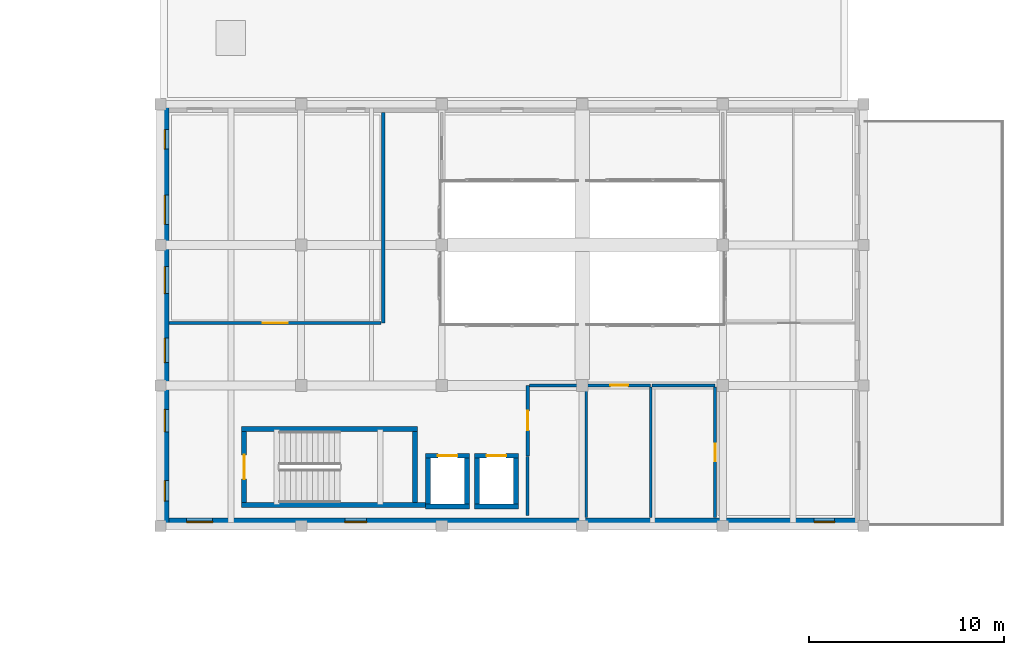
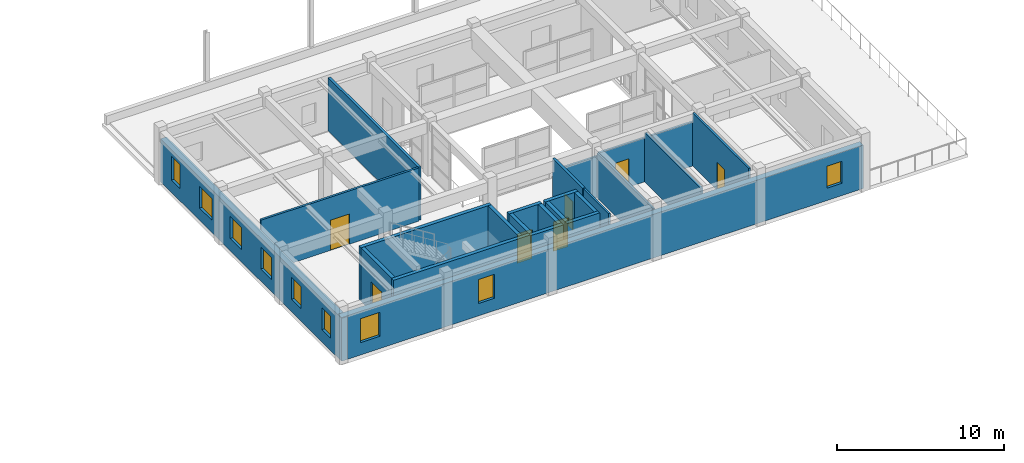
# One storey, part 86 of 99: 24 walls, 9 windows, 7 doors, 16 openings.
"""IFC4 building model written with IfcOpenShell, lengths in metres."""

from ifc_helpers import new_model, si_unit, direction, frame, frame_2d, origin, place, context, subcontext, project, spatial, rectangle, extrude, material, layer, layer_set, type_object, element, fill, save


model = new_model("IFC4")

# Units and contexts
model_context = context("Model", 3, precision=1e-05, world=origin(), true_north=direction((0.0, 1.0)))
body_context = subcontext(model_context, "Body", "Model", "MODEL_VIEW")
ifc_project = project(units=[si_unit("LENGTHUNIT", "METRE"), si_unit("AREAUNIT", "SQUARE_METRE"), si_unit("VOLUMEUNIT", "CUBIC_METRE"), si_unit("PLANEANGLEUNIT", "RADIAN"), si_unit("MASSUNIT", "GRAM", prefix="KILO")], contexts=[model_context])

# Site, building, storey
site_placement = place(None, origin())
site = spatial("IfcSite", under=ifc_project, at=site_placement, CompositionType="ELEMENT")
building_placement = place(site_placement, origin())
building = spatial("IfcBuilding", under=site, at=building_placement, Name="Bramveld Media Centre", CompositionType="ELEMENT")
storey_placement = place(building_placement, frame((0.0, 0.0, 13.800048828125)))
storey = spatial("IfcBuildingStorey", under=building, at=storey_placement, Name="L03", CompositionType="ELEMENT", Elevation=13.800048828125)

# Walls
ifc_material_1 = material(Name="Concrete C40/50 stair & lift core wall", Category="concrete")
ifc_layer_1 = layer(ifc_material_1, 0.25)
ifc_layer_set_1 = layer_set([ifc_layer_1], Name="Concrete C40/50 stair & lift core wall")
wall_type_1 = type_object("IfcWallType", Name="CWALL-SHEAR-250", PredefinedType="SHEAR", material=ifc_layer_set_1)
wall_1_placement = place(storey_placement, frame((69.75, 91.47509765625, 0.0), z_axis=(0.0, 0.0, 1.0), x_axis=(1.0, 0.0, 0.0)))
element("IfcWall", 1, at=wall_1_placement, inside=storey, type_object=wall_type_1, Name="ST-07 L03 stair core shear wall S", PredefinedType="SHEAR", context=body_context, shape_type="SweptSolid", body=[
    extrude(rectangle(XDim=9.570068359375, YDim=0.25, at=frame_2d((4.78515625, 0.0))), origin(), (0.0, 0.0, 1.0), 3.8798828125),
])
wall_2_placement = place(storey_placement, frame((78.75, 95.375, 0.0), z_axis=(0.0, 0.0, 1.0), x_axis=(-1.0, 0.0, 0.0)))
element("IfcWall", 2, at=wall_2_placement, inside=storey, type_object=wall_type_1, Name="ST-07 L03 stair core shear wall N", PredefinedType="SHEAR", context=body_context, shape_type="SweptSolid", body=[
    extrude(rectangle(XDim=9.0, YDim=0.25, at=frame_2d((4.5, 0.0))), origin(), (0.0, 0.0, 1.0), 3.8798828125),
])

# Wall, opening, door
wall_3_placement = place(storey_placement, frame((69.875, 95.25, 0.0), z_axis=(0.0, 0.0, 1.0), x_axis=(0.0, -1.0, 0.0)))
wall_3 = element("IfcWall", 3, at=wall_3_placement, inside=storey, type_object=wall_type_1, Name="ST-07 L03 stair core shear wall W", PredefinedType="SHEAR", context=body_context, shape_type="SweptSolid", body=[
    extrude(rectangle(XDim=3.64990234375, YDim=0.25, at=frame_2d((1.824951171875, 0.0))), origin(), (0.0, 0.0, 1.0), 3.8798828125),
])
opening_1_placement = place(wall_3_placement, frame((1.199951171875, 0.0, 0.0)))
opening_1 = element("IfcOpeningElement", 4, at=opening_1_placement, cuts=wall_3, Name="Opening SD-07-L03", PredefinedType="OPENING", context=body_context, shape_type="SweptSolid", body=[
    extrude(rectangle(XDim=1.25, YDim=2.14990234375, at=frame_2d((0.625, 1.074951171875))), frame((0.0, 0.136962890625, 0.0), z_axis=(0.0, -1.0, 0.0), x_axis=(1.0, 0.0, 0.0)), (0.0, 0.0, 1.0), 0.27392578125),
])
ifc_material_2 = material(Name="Painted galvanized steel acoustic fire door with intumescent smoke seals", Category="steel")
door_type_1 = type_object("IfcDoorType", Name="DR-ST-1250", OperationType="NOTDEFINED", PredefinedType="DOOR", material=ifc_material_2)
door_1_placement = place(opening_1_placement, origin())
door_1 = element("IfcDoor", 5, at=door_1_placement, inside=storey, type_object=door_type_1, Name="ST-07 L03 pressurized stair fire door", OperationType="SINGLE_SWING_RIGHT", OverallHeight=2.14990234375, OverallWidth=1.25, PredefinedType="DOOR", context=body_context, shape_type="SweptSolid", body=[
    extrude(rectangle(XDim=1.25, YDim=2.14990234375, at=frame_2d((0.625, 1.074951171875))), frame((0.0, 0.02490234375, 0.0), z_axis=(0.0, -1.0, 0.0), x_axis=(1.0, 0.0, 0.0)), (0.0, 0.0, 1.0), 0.050048828125),
])
fill(opening_1, door_1)

# Walls
wall_4_placement = place(storey_placement, frame((78.625, 91.60009765625, 0.0), z_axis=(0.0, 0.0, 1.0), x_axis=(0.0, 1.0, 0.0)))
element("IfcWall", 6, at=wall_4_placement, inside=storey, type_object=wall_type_1, Name="ST-07 L03 stair core shear wall E", PredefinedType="SHEAR", context=body_context, shape_type="SweptSolid", body=[
    extrude(rectangle(XDim=3.64990234375, YDim=0.25, at=frame_2d((1.824951171875, 0.0))), origin(), (0.0, 0.0, 1.0), 3.8798828125),
])
wall_5_placement = place(storey_placement, frame((79.175048828125, 91.39990234375, 0.0), z_axis=(0.0, 0.0, 1.0), x_axis=(1.0, 0.0, 0.0)))
element("IfcWall", 7, at=wall_5_placement, inside=storey, type_object=wall_type_1, Name="PL-04 L03 lift shaft wall S", PredefinedType="SHEAR", context=body_context, shape_type="SweptSolid", body=[
    extrude(rectangle(XDim=2.25, YDim=0.25, at=frame_2d((1.125, 0.0))), origin(), (0.0, 0.0, 1.0), 3.8798828125),
])

# Wall, opening, door
wall_6_placement = place(storey_placement, frame((81.425048828125, 94.0, 0.0), z_axis=(0.0, 0.0, 1.0), x_axis=(-1.0, 0.0, 0.0)))
wall_6 = element("IfcWall", 8, at=wall_6_placement, inside=storey, type_object=wall_type_1, Name="PL-04 L03 lift shaft wall N", PredefinedType="SHEAR", context=body_context, shape_type="SweptSolid", body=[
    extrude(rectangle(XDim=2.25, YDim=0.25, at=frame_2d((1.125, 0.0))), origin(), (0.0, 0.0, 1.0), 3.8798828125),
])
opening_2_placement = place(wall_6_placement, frame((0.625, 0.0, 0.0)))
opening_2 = element("IfcOpeningElement", 9, at=opening_2_placement, cuts=wall_6, Name="Opening LD-02-04-L03", PredefinedType="OPENING", context=body_context, shape_type="SweptSolid", body=[
    extrude(rectangle(XDim=1.0, YDim=2.14990234375, at=frame_2d((0.5, 1.074951171875))), frame((0.0, 0.136962890625, 0.0), z_axis=(0.0, -1.0, 0.0), x_axis=(1.0, 0.0, 0.0)), (0.0, 0.0, 1.0), 0.27392578125),
])
ifc_material_3 = material(Name="Brushed stainless steel automatic fire-rated sliding lift landing door", Category="steel")
door_type_2 = type_object("IfcDoorType", Name="LD-TYPE-02", OperationType="SLIDING_TO_LEFT", PredefinedType="DOOR", material=ifc_material_3)
door_2_placement = place(opening_2_placement, origin())
door_2 = element("IfcDoor", 10, at=door_2_placement, inside=storey, type_object=door_type_2, Name="PL-04 L03 sliding lift landing door", OperationType="SLIDING_TO_LEFT", OverallHeight=2.14990234375, OverallWidth=1.0, PredefinedType="DOOR", context=body_context, shape_type="SweptSolid", body=[
    extrude(rectangle(XDim=1.0, YDim=2.14990234375, at=frame_2d((0.5, 1.074951171875))), frame((0.0, 0.02490234375, 0.0), z_axis=(0.0, -1.0, 0.0), x_axis=(1.0, 0.0, 0.0)), (0.0, 0.0, 1.0), 0.050048828125),
])
fill(opening_2, door_2)

# Walls
for number, where, z_axis, x_axis, name in (
    (11, (79.300048828125, 94.0, 0.0), (0.0, 0.0, 1.0), (0.0, -1.0, 0.0), "PL-04 L03 lift shaft wall W"),
    (12, (81.300048828125, 91.39990234375, 0.0), (0.0, 0.0, 1.0), (0.0, 1.0, 0.0), "PL-04 L03 lift shaft wall E"),
):
    element("IfcWall", number, at=place(storey_placement, frame(where, z_axis=z_axis, x_axis=x_axis)), inside=storey, type_object=wall_type_1, Name=name, PredefinedType="SHEAR", context=body_context, shape_type="SweptSolid", body=[
        extrude(rectangle(XDim=2.60009765625, YDim=0.25, at=frame_2d((1.300048828125, 0.0))), origin(), (0.0, 0.0, 1.0), 3.8798828125),
    ])
wall_7_placement = place(storey_placement, frame((81.675048828125, 91.39990234375, 0.0), z_axis=(0.0, 0.0, 1.0), x_axis=(1.0, 0.0, 0.0)))
element("IfcWall", 13, at=wall_7_placement, inside=storey, type_object=wall_type_1, Name="PL-03 L03 lift shaft wall S", PredefinedType="SHEAR", context=body_context, shape_type="SweptSolid", body=[
    extrude(rectangle(XDim=2.25, YDim=0.25, at=frame_2d((1.125, 0.0))), origin(), (0.0, 0.0, 1.0), 3.8798828125),
])

# Wall, opening, door
wall_8_placement = place(storey_placement, frame((83.925048828125, 94.0, 0.0), z_axis=(0.0, 0.0, 1.0), x_axis=(-1.0, 0.0, 0.0)))
wall_8 = element("IfcWall", 14, at=wall_8_placement, inside=storey, type_object=wall_type_1, Name="PL-03 L03 lift shaft wall N", PredefinedType="SHEAR", context=body_context, shape_type="SweptSolid", body=[
    extrude(rectangle(XDim=2.25, YDim=0.25, at=frame_2d((1.125, 0.0))), origin(), (0.0, 0.0, 1.0), 3.8798828125),
])
opening_3_placement = place(wall_8_placement, frame((0.625, 0.0, 0.0)))
opening_3 = element("IfcOpeningElement", 15, at=opening_3_placement, cuts=wall_8, Name="Opening LD-02-03-L03", PredefinedType="OPENING", context=body_context, shape_type="SweptSolid", body=[
    extrude(rectangle(XDim=1.0, YDim=2.14990234375, at=frame_2d((0.5, 1.074951171875))), frame((0.0, 0.136962890625, 0.0), z_axis=(0.0, -1.0, 0.0), x_axis=(1.0, 0.0, 0.0)), (0.0, 0.0, 1.0), 0.27392578125),
])
door_3_placement = place(opening_3_placement, origin())
door_3 = element("IfcDoor", 16, at=door_3_placement, inside=storey, type_object=door_type_2, Name="PL-03 L03 sliding lift landing door", OperationType="SLIDING_TO_LEFT", OverallHeight=2.14990234375, OverallWidth=1.0, PredefinedType="DOOR", context=body_context, shape_type="SweptSolid", body=[
    extrude(rectangle(XDim=1.0, YDim=2.14990234375, at=frame_2d((0.5, 1.074951171875))), frame((0.0, 0.02490234375, 0.0), z_axis=(0.0, -1.0, 0.0), x_axis=(1.0, 0.0, 0.0)), (0.0, 0.0, 1.0), 0.050048828125),
])
fill(opening_3, door_3)

# Walls
for number, where, z_axis, x_axis, name in (
    (17, (81.800048828125, 94.0, 0.0), (0.0, 0.0, 1.0), (0.0, -1.0, 0.0), "PL-03 L03 lift shaft wall W"),
    (18, (83.800048828125, 91.39990234375, 0.0), (0.0, 0.0, 1.0), (0.0, 1.0, 0.0), "PL-03 L03 lift shaft wall E"),
):
    element("IfcWall", number, at=place(storey_placement, frame(where, z_axis=z_axis, x_axis=x_axis)), inside=storey, type_object=wall_type_1, Name=name, PredefinedType="SHEAR", context=body_context, shape_type="SweptSolid", body=[
        extrude(rectangle(XDim=2.60009765625, YDim=0.25, at=frame_2d((1.300048828125, 0.0))), origin(), (0.0, 0.0, 1.0), 3.8798828125),
    ])

# Wall, openings, windows
ifc_material_4 = material(Name="Flemish red-brown clay facing brick cavity wall with concrete C35/45 inner leaf", Category="masonry")
ifc_layer_2 = layer(ifc_material_4, 0.419921875)
ifc_layer_set_2 = layer_set([ifc_layer_2], Name="Flemish red-brown clay facing brick cavity wall with concrete C35/45 inner leaf")
wall_type_2 = type_object("IfcWallType", Name="EW-BRK-420", PredefinedType="SOLIDWALL", material=ifc_layer_set_2)
wall_9_placement = place(storey_placement, frame((101.60009765625, 90.610107421875, 0.0), z_axis=(0.0, 0.0, 1.0), x_axis=(-1.0, 0.0, 0.0)))
wall_9 = element("IfcWall", 19, at=wall_9_placement, inside=storey, type_object=wall_type_2, Name="V6 L03 S facing brick exterior wall", PredefinedType="SOLIDWALL", context=body_context, shape_type="SweptSolid", body=[
    extrude(rectangle(XDim=36.0, YDim=0.419921875, at=frame_2d((18.0, 0.0))), origin(), (0.0, 0.0, 1.0), 3.175048828125),
])
opening_4_placement = place(wall_9_placement, frame((1.47509765625, 0.0, 0.89990234375)))
opening_4 = element("IfcOpeningElement", 20, at=opening_4_placement, cuts=wall_9, Name="Opening W-14", PredefinedType="OPENING", context=body_context, shape_type="SweptSolid", body=[
    extrude(rectangle(XDim=1.050048828125, YDim=1.60009765625, at=frame_2d((0.52490234375, 0.800048828125))), frame((0.0, 0.221923828125, 0.0), z_axis=(0.0, -1.0, 0.0), x_axis=(1.0, 0.0, 0.0)), (0.0, 0.0, 1.0), 0.44384765625),
])
opening_5_placement = place(wall_9_placement, frame((25.43994140625, 0.0, 0.89990234375)))
opening_5 = element("IfcOpeningElement", 21, at=opening_5_placement, cuts=wall_9, Name="Opening W-20", PredefinedType="OPENING", context=body_context, shape_type="SweptSolid", body=[
    extrude(rectangle(XDim=1.1201171875, YDim=1.75, at=frame_2d((0.56005859375, 0.875))), frame((0.0, 0.221923828125, 0.0), z_axis=(0.0, -1.0, 0.0), x_axis=(1.0, 0.0, 0.0)), (0.0, 0.0, 1.0), 0.44384765625),
])
opening_6_placement = place(wall_9_placement, frame((33.330078125, 0.0, 0.89990234375)))
opening_6 = element("IfcOpeningElement", 22, at=opening_6_placement, cuts=wall_9, Name="Opening W-22", PredefinedType="OPENING", context=body_context, shape_type="SweptSolid", body=[
    extrude(rectangle(XDim=1.340087890625, YDim=1.75, at=frame_2d((0.669921875, 0.875))), frame((0.0, 0.221923828125, 0.0), z_axis=(0.0, -1.0, 0.0), x_axis=(1.0, 0.0, 0.0)), (0.0, 0.0, 1.0), 0.44384765625),
])
ifc_material_5 = material(Name="Thermally broken anodized bronze aluminium frame with triple acoustic glazing", Category="aluminium")
window_type_1 = type_object("IfcWindowType", Name="WIN-FAC-14", PartitioningType="SINGLE_PANEL", PredefinedType="WINDOW", material=ifc_material_5)
window_1_placement = place(opening_4_placement, origin())
window_1 = element("IfcWindow", 23, at=window_1_placement, inside=storey, type_object=window_type_1, Name="V6 L03 S acoustic facade window", OverallHeight=1.60009765625, OverallWidth=1.050048828125, PartitioningType="SINGLE_PANEL", PredefinedType="WINDOW", context=body_context, shape_type="SweptSolid", body=[
    extrude(rectangle(XDim=1.050048828125, YDim=1.60009765625, at=frame_2d((0.52490234375, 0.800048828125))), frame((0.0, 0.030029296875, 0.0), z_axis=(0.0, -1.0, 0.0), x_axis=(1.0, 0.0, 0.0)), (0.0, 0.0, 1.0), 0.06005859375),
])
fill(opening_4, window_1)
ifc_material_6 = material(Name="Thermally broken anodized bronze aluminium frame with triple acoustic glazing", Category="aluminium")
window_type_2 = type_object("IfcWindowType", Name="WIN-FAC-20", PartitioningType="SINGLE_PANEL", PredefinedType="WINDOW", material=ifc_material_6)
window_2_placement = place(opening_5_placement, origin())
window_2 = element("IfcWindow", 24, at=window_2_placement, inside=storey, type_object=window_type_2, Name="V6 L03 S acoustic facade window", OverallHeight=1.75, OverallWidth=1.1201171875, PartitioningType="SINGLE_PANEL", PredefinedType="WINDOW", context=body_context, shape_type="SweptSolid", body=[
    extrude(rectangle(XDim=1.1201171875, YDim=1.75, at=frame_2d((0.56005859375, 0.875))), frame((0.0, 0.030029296875, 0.0), z_axis=(0.0, -1.0, 0.0), x_axis=(1.0, 0.0, 0.0)), (0.0, 0.0, 1.0), 0.06005859375),
])
fill(opening_5, window_2)
ifc_material_7 = material(Name="Thermally broken anodized bronze aluminium frame with triple acoustic glazing", Category="aluminium")
window_type_3 = type_object("IfcWindowType", Name="WIN-FAC-22", PartitioningType="SINGLE_PANEL", PredefinedType="WINDOW", material=ifc_material_7)
window_3_placement = place(opening_6_placement, origin())
window_3 = element("IfcWindow", 25, at=window_3_placement, inside=storey, type_object=window_type_3, Name="V6 L03 S acoustic facade window", OverallHeight=1.75, OverallWidth=1.340087890625, PartitioningType="SINGLE_PANEL", PredefinedType="WINDOW", context=body_context, shape_type="SweptSolid", body=[
    extrude(rectangle(XDim=1.340087890625, YDim=1.75, at=frame_2d((0.669921875, 0.875))), frame((0.0, 0.030029296875, 0.0), z_axis=(0.0, -1.0, 0.0), x_axis=(1.0, 0.0, 0.0)), (0.0, 0.0, 1.0), 0.06005859375),
])
fill(opening_6, window_3)

wall_10_placement = place(storey_placement, frame((65.81005859375, 90.39990234375, 0.0), z_axis=(0.0, 0.0, 1.0), x_axis=(0.0, 1.0, 0.0)))
wall_10 = element("IfcWall", 26, at=wall_10_placement, inside=storey, type_object=wall_type_2, Name="V6 L03 W facing brick exterior wall", PredefinedType="SOLIDWALL", context=body_context, shape_type="SweptSolid", body=[
    extrude(rectangle(XDim=21.60009765625, YDim=0.419921875, at=frame_2d((10.800048828125, 0.0))), origin(), (0.0, 0.0, 1.0), 3.135009765625),
])
opening_7_placement = place(wall_10_placement, frame((1.27490234375, 0.0, 0.89990234375)))
opening_7 = element("IfcOpeningElement", 27, at=opening_7_placement, cuts=wall_10, Name="Opening W-14", PredefinedType="OPENING", context=body_context, shape_type="SweptSolid", body=[
    extrude(rectangle(XDim=1.050048828125, YDim=1.60009765625, at=frame_2d((0.52490234375, 0.800048828125))), frame((0.0, 0.221923828125, 0.0), z_axis=(0.0, -1.0, 0.0), x_axis=(1.0, 0.0, 0.0)), (0.0, 0.0, 1.0), 0.44384765625),
])
opening_8_placement = place(wall_10_placement, frame((4.824951171875, 0.0, 0.89990234375)))
opening_8 = element("IfcOpeningElement", 28, at=opening_8_placement, cuts=wall_10, Name="Opening W-15", PredefinedType="OPENING", context=body_context, shape_type="SweptSolid", body=[
    extrude(rectangle(XDim=1.14990234375, YDim=1.60009765625, at=frame_2d((0.574951171875, 0.800048828125))), frame((0.0, 0.221923828125, 0.0), z_axis=(0.0, -1.0, 0.0), x_axis=(1.0, 0.0, 0.0)), (0.0, 0.0, 1.0), 0.44384765625),
])
opening_9_placement = place(wall_10_placement, frame((8.375, 0.0, 0.89990234375)))
opening_9 = element("IfcOpeningElement", 29, at=opening_9_placement, cuts=wall_10, Name="Opening W-16", PredefinedType="OPENING", context=body_context, shape_type="SweptSolid", body=[
    extrude(rectangle(XDim=1.25, YDim=1.60009765625, at=frame_2d((0.625, 0.800048828125))), frame((0.0, 0.221923828125, 0.0), z_axis=(0.0, -1.0, 0.0), x_axis=(1.0, 0.0, 0.0)), (0.0, 0.0, 1.0), 0.44384765625),
])
opening_10_placement = place(wall_10_placement, frame((11.909912109375, 0.0, 0.89990234375)))
opening_10 = element("IfcOpeningElement", 30, at=opening_10_placement, cuts=wall_10, Name="Opening W-17", PredefinedType="OPENING", context=body_context, shape_type="SweptSolid", body=[
    extrude(rectangle(XDim=1.3798828125, YDim=1.60009765625, at=frame_2d((0.68994140625, 0.800048828125))), frame((0.0, 0.221923828125, 0.0), z_axis=(0.0, -1.0, 0.0), x_axis=(1.0, 0.0, 0.0)), (0.0, 0.0, 1.0), 0.44384765625),
])
opening_11_placement = place(wall_10_placement, frame((15.449951171875, 0.0, 0.89990234375)))
opening_11 = element("IfcOpeningElement", 31, at=opening_11_placement, cuts=wall_10, Name="Opening W-18", PredefinedType="OPENING", context=body_context, shape_type="SweptSolid", body=[
    extrude(rectangle(XDim=1.5, YDim=1.60009765625, at=frame_2d((0.75, 0.800048828125))), frame((0.0, 0.221923828125, 0.0), z_axis=(0.0, -1.0, 0.0), x_axis=(1.0, 0.0, 0.0)), (0.0, 0.0, 1.0), 0.44384765625),
])
opening_12_placement = place(wall_10_placement, frame((19.300048828125, 0.0, 0.89990234375)))
opening_12 = element("IfcOpeningElement", 32, at=opening_12_placement, cuts=wall_10, Name="Opening W-19", PredefinedType="OPENING", context=body_context, shape_type="SweptSolid", body=[
    extrude(rectangle(XDim=1.0, YDim=1.75, at=frame_2d((0.5, 0.875))), frame((0.0, 0.221923828125, 0.0), z_axis=(0.0, -1.0, 0.0), x_axis=(1.0, 0.0, 0.0)), (0.0, 0.0, 1.0), 0.44384765625),
])
window_4_placement = place(opening_7_placement, origin())
window_4 = element("IfcWindow", 33, at=window_4_placement, inside=storey, type_object=window_type_1, Name="V6 L03 W acoustic facade window", OverallHeight=1.60009765625, OverallWidth=1.050048828125, PartitioningType="SINGLE_PANEL", PredefinedType="WINDOW", context=body_context, shape_type="SweptSolid", body=[
    extrude(rectangle(XDim=1.050048828125, YDim=1.60009765625, at=frame_2d((0.52490234375, 0.800048828125))), frame((0.0, 0.030029296875, 0.0), z_axis=(0.0, -1.0, 0.0), x_axis=(1.0, 0.0, 0.0)), (0.0, 0.0, 1.0), 0.06005859375),
])
fill(opening_7, window_4)
ifc_material_8 = material(Name="Thermally broken anodized bronze aluminium frame with triple acoustic glazing", Category="aluminium")
window_type_4 = type_object("IfcWindowType", Name="WIN-FAC-15", PartitioningType="SINGLE_PANEL", PredefinedType="WINDOW", material=ifc_material_8)
window_5_placement = place(opening_8_placement, origin())
window_5 = element("IfcWindow", 34, at=window_5_placement, inside=storey, type_object=window_type_4, Name="V6 L03 W acoustic facade window", OverallHeight=1.60009765625, OverallWidth=1.14990234375, PartitioningType="SINGLE_PANEL", PredefinedType="WINDOW", context=body_context, shape_type="SweptSolid", body=[
    extrude(rectangle(XDim=1.14990234375, YDim=1.60009765625, at=frame_2d((0.574951171875, 0.800048828125))), frame((0.0, 0.030029296875, 0.0), z_axis=(0.0, -1.0, 0.0), x_axis=(1.0, 0.0, 0.0)), (0.0, 0.0, 1.0), 0.06005859375),
])
fill(opening_8, window_5)
ifc_material_9 = material(Name="Thermally broken anodized bronze aluminium frame with triple acoustic glazing", Category="aluminium")
window_type_5 = type_object("IfcWindowType", Name="WIN-FAC-16", PartitioningType="SINGLE_PANEL", PredefinedType="WINDOW", material=ifc_material_9)
window_6_placement = place(opening_9_placement, origin())
window_6 = element("IfcWindow", 35, at=window_6_placement, inside=storey, type_object=window_type_5, Name="V6 L03 W acoustic facade window", OverallHeight=1.60009765625, OverallWidth=1.25, PartitioningType="SINGLE_PANEL", PredefinedType="WINDOW", context=body_context, shape_type="SweptSolid", body=[
    extrude(rectangle(XDim=1.25, YDim=1.60009765625, at=frame_2d((0.625, 0.800048828125))), frame((0.0, 0.030029296875, 0.0), z_axis=(0.0, -1.0, 0.0), x_axis=(1.0, 0.0, 0.0)), (0.0, 0.0, 1.0), 0.06005859375),
])
fill(opening_9, window_6)
ifc_material_10 = material(Name="Thermally broken anodized bronze aluminium frame with triple acoustic glazing", Category="aluminium")
window_type_6 = type_object("IfcWindowType", Name="WIN-FAC-17", PartitioningType="SINGLE_PANEL", PredefinedType="WINDOW", material=ifc_material_10)
window_7_placement = place(opening_10_placement, origin())
window_7 = element("IfcWindow", 36, at=window_7_placement, inside=storey, type_object=window_type_6, Name="V6 L03 W acoustic facade window", OverallHeight=1.60009765625, OverallWidth=1.3798828125, PartitioningType="SINGLE_PANEL", PredefinedType="WINDOW", context=body_context, shape_type="SweptSolid", body=[
    extrude(rectangle(XDim=1.3798828125, YDim=1.60009765625, at=frame_2d((0.68994140625, 0.800048828125))), frame((0.0, 0.030029296875, 0.0), z_axis=(0.0, -1.0, 0.0), x_axis=(1.0, 0.0, 0.0)), (0.0, 0.0, 1.0), 0.06005859375),
])
fill(opening_10, window_7)
ifc_material_11 = material(Name="Thermally broken anodized bronze aluminium frame with triple acoustic glazing", Category="aluminium")
window_type_7 = type_object("IfcWindowType", Name="WIN-FAC-18", PartitioningType="SINGLE_PANEL", PredefinedType="WINDOW", material=ifc_material_11)
window_8_placement = place(opening_11_placement, origin())
window_8 = element("IfcWindow", 37, at=window_8_placement, inside=storey, type_object=window_type_7, Name="V6 L03 W acoustic facade window", OverallHeight=1.60009765625, OverallWidth=1.5, PartitioningType="SINGLE_PANEL", PredefinedType="WINDOW", context=body_context, shape_type="SweptSolid", body=[
    extrude(rectangle(XDim=1.5, YDim=1.60009765625, at=frame_2d((0.75, 0.800048828125))), frame((0.0, 0.030029296875, 0.0), z_axis=(0.0, -1.0, 0.0), x_axis=(1.0, 0.0, 0.0)), (0.0, 0.0, 1.0), 0.06005859375),
])
fill(opening_11, window_8)
ifc_material_12 = material(Name="Thermally broken anodized bronze aluminium frame with triple acoustic glazing", Category="aluminium")
window_type_8 = type_object("IfcWindowType", Name="WIN-FAC-19", PartitioningType="SINGLE_PANEL", PredefinedType="WINDOW", material=ifc_material_12)
window_9_placement = place(opening_12_placement, origin())
window_9 = element("IfcWindow", 38, at=window_9_placement, inside=storey, type_object=window_type_8, Name="V6 L03 W acoustic facade window", OverallHeight=1.75, OverallWidth=1.0, PartitioningType="SINGLE_PANEL", PredefinedType="WINDOW", context=body_context, shape_type="SweptSolid", body=[
    extrude(rectangle(XDim=1.0, YDim=1.75, at=frame_2d((0.5, 0.875))), frame((0.0, 0.030029296875, 0.0), z_axis=(0.0, -1.0, 0.0), x_axis=(1.0, 0.0, 0.0)), (0.0, 0.0, 1.0), 0.06005859375),
])
fill(opening_12, window_9)

# Wall, opening, door
ifc_material_13 = material(Name="Fire-rated twin-frame gypsum corridor wall", Category="gypsum")
ifc_layer_3 = layer(ifc_material_13, 0.179931640625)
ifc_layer_set_3 = layer_set([ifc_layer_3], Name="Fire-rated twin-frame gypsum corridor wall")
wall_type_3 = type_object("IfcWallType", Name="IW-FIRE-180", PredefinedType="PARTITIONING", material=ifc_layer_set_3)
wall_11_placement = place(storey_placement, frame((84.39990234375, 94.0, 0.0), z_axis=(0.0, 0.0, 1.0), x_axis=(0.0, 1.0, 0.0)))
wall_11 = element("IfcWall", 39, at=wall_11_placement, inside=storey, type_object=wall_type_3, Name="Exhibition Lift Lobby L03 partition wall", PredefinedType="PARTITIONING", context=body_context, shape_type="SweptSolid", body=[
    extrude(rectangle(XDim=3.60009765625, YDim=0.179931640625, at=frame_2d((1.800048828125, 0.0))), origin(), (0.0, 0.0, 1.0), 3.8798828125),
])
opening_13_placement = place(wall_11_placement, frame((1.300048828125, 0.0, 0.0)))
opening_13 = element("IfcOpeningElement", 40, at=opening_13_placement, cuts=wall_11, Name="Opening D-03-156", PredefinedType="OPENING", context=body_context, shape_type="SweptSolid", body=[
    extrude(rectangle(XDim=1.0, YDim=2.10009765625, at=frame_2d((0.5, 1.050048828125))), frame((0.0, 0.10205078125, 0.0), z_axis=(0.0, -1.0, 0.0), x_axis=(1.0, 0.0, 0.0)), (0.0, 0.0, 1.0), 0.203857421875),
])
ifc_material_14 = material(Name="Solid-core European oak acoustic timber leaf in steel frame", Category="steel")
door_type_3 = type_object("IfcDoorType", Name="DR-WC-PMR-1000", OperationType="NOTDEFINED", PredefinedType="DOOR", material=ifc_material_14)
door_4_placement = place(opening_13_placement, origin())
door_4 = element("IfcDoor", 41, at=door_4_placement, inside=storey, type_object=door_type_3, Name="Accessible WC entrance door", OperationType="SINGLE_SWING_RIGHT", OverallHeight=2.10009765625, OverallWidth=1.0, PredefinedType="DOOR", context=body_context, shape_type="SweptSolid", body=[
    extrude(rectangle(XDim=1.0, YDim=2.10009765625, at=frame_2d((0.5, 1.050048828125))), frame((0.0, 0.02490234375, 0.0), z_axis=(0.0, -1.0, 0.0), x_axis=(1.0, 0.0, 0.0)), (0.0, 0.0, 1.0), 0.050048828125),
])
fill(opening_13, door_4)

# Wall
wall_12_placement = place(storey_placement, frame((77.0, 100.800048828125, 0.0), z_axis=(0.0, 0.0, 1.0), x_axis=(0.0, 1.0, 0.0)))
element("IfcWall", 42, at=wall_12_placement, inside=storey, type_object=wall_type_3, Name="West Atrium Overlook Corridor partition wall", PredefinedType="PARTITIONING", context=body_context, shape_type="SweptSolid", body=[
    extrude(rectangle(XDim=10.77001953125, YDim=0.179931640625, at=frame_2d((5.385009765625, 0.0))), origin(), (0.0, 0.0, 1.0), 3.8798828125),
])

# Wall, opening, door
ifc_material_15 = material(Name="Insulated metal-stud gypsum room partition", Category="gypsum")
ifc_layer_4 = layer(ifc_material_15, 0.14990234375)
ifc_layer_set_4 = layer_set([ifc_layer_4], Name="Insulated metal-stud gypsum room partition")
wall_type_4 = type_object("IfcWallType", Name="IW-PART-150", PredefinedType="PARTITIONING", material=ifc_layer_set_4)
wall_13_placement = place(storey_placement, frame((66.030029296875, 100.800048828125, 0.0), z_axis=(0.0, 0.0, 1.0), x_axis=(1.0, 0.0, 0.0)))
wall_13 = element("IfcWall", 43, at=wall_13_placement, inside=storey, type_object=wall_type_4, Name="Temporary Media Biennale Gallery partition wall", PredefinedType="PARTITIONING", context=body_context, shape_type="SweptSolid", body=[
    extrude(rectangle(XDim=10.869873046875, YDim=0.14990234375, at=frame_2d((5.43505859375, 0.0))), origin(), (0.0, 0.0, 1.0), 3.8798828125),
])
opening_14_placement = place(wall_13_placement, frame((4.794921875, 0.0, 0.0)))
opening_14 = element("IfcOpeningElement", 44, at=opening_14_placement, cuts=wall_13, Name="Opening D-03-159", PredefinedType="OPENING", context=body_context, shape_type="SweptSolid", body=[
    extrude(rectangle(XDim=1.280029296875, YDim=2.199951171875, at=frame_2d((0.64013671875, 1.10009765625))), frame((0.0, 0.0869140625, 0.0), z_axis=(0.0, -1.0, 0.0), x_axis=(1.0, 0.0, 0.0)), (0.0, 0.0, 1.0), 0.173828125),
])
ifc_material_16 = material(Name="Fire-rated acoustic timber & steel composite door", Category="steel")
door_type_4 = type_object("IfcDoorType", Name="DR-STU-1280", OperationType="NOTDEFINED", PredefinedType="DOOR", material=ifc_material_16)
door_5_placement = place(opening_14_placement, origin())
door_5 = element("IfcDoor", 45, at=door_5_placement, inside=storey, type_object=door_type_4, Name="Temporary Media Biennale Gallery entrance door", OperationType="SINGLE_SWING_LEFT", OverallHeight=2.199951171875, OverallWidth=1.280029296875, PredefinedType="DOOR", context=body_context, shape_type="SweptSolid", body=[
    extrude(rectangle(XDim=1.280029296875, YDim=2.199951171875, at=frame_2d((0.64013671875, 1.10009765625))), frame((0.0, 0.02490234375, 0.0), z_axis=(0.0, -1.0, 0.0), x_axis=(1.0, 0.0, 0.0)), (0.0, 0.0, 1.0), 0.050048828125),
])
fill(opening_14, door_5)

# Walls
ifc_material_17 = material(Name="Moisture-resistant cement-board sanitary partition", Category="gypsum")
ifc_layer_5 = layer(ifc_material_17, 0.139892578125)
ifc_layer_set_5 = layer_set([ifc_layer_5], Name="Moisture-resistant cement-board sanitary partition")
wall_type_5 = type_object("IfcWallType", Name="IW-WET-140", PredefinedType="PARTITIONING", material=ifc_layer_set_5)
wall_14_placement = place(storey_placement, frame((84.5, 97.60009765625, 0.0), z_axis=(0.0, 0.0, 1.0), x_axis=(1.0, 0.0, 0.0)))
element("IfcWall", 46, at=wall_14_placement, inside=storey, type_object=wall_type_5, Name="Accessible WC partition wall", PredefinedType="PARTITIONING", context=body_context, shape_type="SweptSolid", body=[
    extrude(rectangle(XDim=2.89990234375, YDim=0.139892578125, at=frame_2d((1.449951171875, 0.0))), origin(), (0.0, 0.0, 1.0), 3.0048828125),
])
wall_15_placement = place(storey_placement, frame((87.39990234375, 90.830078125, 0.0), z_axis=(0.0, 0.0, 1.0), x_axis=(0.0, 1.0, 0.0)))
element("IfcWall", 47, at=wall_15_placement, inside=storey, type_object=wall_type_5, Name="Accessible WC partition wall", PredefinedType="PARTITIONING", context=body_context, shape_type="SweptSolid", body=[
    extrude(rectangle(XDim=6.68994140625, YDim=0.139892578125, at=frame_2d((3.344970703125, 0.0))), origin(), (0.0, 0.0, 1.0), 3.2548828125),
])

# Wall, opening, door
wall_16_placement = place(storey_placement, frame((87.47998046875, 97.60009765625, 0.0), z_axis=(0.0, 0.0, 1.0), x_axis=(1.0, 0.0, 0.0)))
wall_16 = element("IfcWall", 48, at=wall_16_placement, inside=storey, type_object=wall_type_5, Name="Male WC partition wall", PredefinedType="PARTITIONING", context=body_context, shape_type="SweptSolid", body=[
    extrude(rectangle(XDim=3.219970703125, YDim=0.139892578125, at=frame_2d((1.60986328125, 0.0))), origin(), (0.0, 0.0, 1.0), 3.204833984375),
])
opening_15_placement = place(wall_16_placement, frame((1.155029296875, 0.0, 0.0)))
opening_15 = element("IfcOpeningElement", 49, at=opening_15_placement, cuts=wall_16, Name="Opening D-03-157", PredefinedType="OPENING", context=body_context, shape_type="SweptSolid", body=[
    extrude(rectangle(XDim=0.909912109375, YDim=2.06005859375, at=frame_2d((0.455078125, 1.030029296875))), frame((0.0, 0.08203125, 0.0), z_axis=(0.0, -1.0, 0.0), x_axis=(1.0, 0.0, 0.0)), (0.0, 0.0, 1.0), 0.163818359375),
])
ifc_material_18 = material(Name="Solid-core European oak acoustic timber leaf in steel frame", Category="steel")
door_type_5 = type_object("IfcDoorType", Name="DR-WC-0910", OperationType="NOTDEFINED", PredefinedType="DOOR", material=ifc_material_18)
door_6_placement = place(opening_15_placement, origin())
door_6 = element("IfcDoor", 50, at=door_6_placement, inside=storey, type_object=door_type_5, Name="Male WC entrance door", OperationType="SINGLE_SWING_LEFT", OverallHeight=2.06005859375, OverallWidth=0.909912109375, PredefinedType="DOOR", context=body_context, shape_type="SweptSolid", body=[
    extrude(rectangle(XDim=0.909912109375, YDim=2.06005859375, at=frame_2d((0.455078125, 1.030029296875))), frame((0.0, 0.02490234375, 0.0), z_axis=(0.0, -1.0, 0.0), x_axis=(1.0, 0.0, 0.0)), (0.0, 0.0, 1.0), 0.050048828125),
])
fill(opening_15, door_6)

# Walls
wall_17_placement = place(storey_placement, frame((90.699951171875, 90.830078125, 0.0), z_axis=(0.0, 0.0, 1.0), x_axis=(0.0, 1.0, 0.0)))
element("IfcWall", 51, at=wall_17_placement, inside=storey, type_object=wall_type_5, Name="Male WC partition wall", PredefinedType="PARTITIONING", context=body_context, shape_type="SweptSolid", body=[
    extrude(rectangle(XDim=6.68994140625, YDim=0.139892578125, at=frame_2d((3.344970703125, 0.0))), origin(), (0.0, 0.0, 1.0), 3.594970703125),
])
wall_18_placement = place(storey_placement, frame((90.780029296875, 97.60009765625, 0.0), z_axis=(0.0, 0.0, 1.0), x_axis=(1.0, 0.0, 0.0)))
element("IfcWall", 52, at=wall_18_placement, inside=storey, type_object=wall_type_5, Name="Female WC partition wall", PredefinedType="PARTITIONING", context=body_context, shape_type="SweptSolid", body=[
    extrude(rectangle(XDim=3.219970703125, YDim=0.139892578125, at=frame_2d((1.60986328125, 0.0))), origin(), (0.0, 0.0, 1.0), 3.204833984375),
])

# Wall, opening, door
wall_19_placement = place(storey_placement, frame((94.0, 90.830078125, 0.0), z_axis=(0.0, 0.0, 1.0), x_axis=(0.0, 1.0, 0.0)))
wall_19 = element("IfcWall", 53, at=wall_19_placement, inside=storey, type_object=wall_type_5, Name="Female WC partition wall", PredefinedType="PARTITIONING", context=body_context, shape_type="SweptSolid", body=[
    extrude(rectangle(XDim=6.68994140625, YDim=0.139892578125, at=frame_2d((3.344970703125, 0.0))), origin(), (0.0, 0.0, 1.0), 3.8798828125),
])
opening_16_placement = place(wall_19_placement, frame((2.89990234375, 0.0, 0.0)))
opening_16 = element("IfcOpeningElement", 54, at=opening_16_placement, cuts=wall_19, Name="Opening D-03-158", PredefinedType="OPENING", context=body_context, shape_type="SweptSolid", body=[
    extrude(rectangle(XDim=0.889892578125, YDim=2.050048828125, at=frame_2d((0.44482421875, 1.02490234375))), frame((0.0, 0.08203125, 0.0), z_axis=(0.0, -1.0, 0.0), x_axis=(1.0, 0.0, 0.0)), (0.0, 0.0, 1.0), 0.163818359375),
])
ifc_material_19 = material(Name="Solid-core European oak acoustic timber leaf in steel frame", Category="steel")
door_type_6 = type_object("IfcDoorType", Name="DR-WC-0890", OperationType="NOTDEFINED", PredefinedType="DOOR", material=ifc_material_19)
door_7_placement = place(opening_16_placement, origin())
door_7 = element("IfcDoor", 55, at=door_7_placement, inside=storey, type_object=door_type_6, Name="Female WC entrance door", OperationType="SINGLE_SWING_RIGHT", OverallHeight=2.050048828125, OverallWidth=0.889892578125, PredefinedType="DOOR", context=body_context, shape_type="SweptSolid", body=[
    extrude(rectangle(XDim=0.889892578125, YDim=2.050048828125, at=frame_2d((0.44482421875, 1.02490234375))), frame((0.0, 0.02490234375, 0.0), z_axis=(0.0, -1.0, 0.0), x_axis=(1.0, 0.0, 0.0)), (0.0, 0.0, 1.0), 0.050048828125),
])
fill(opening_16, door_7)

# Wall
wall_20_placement = place(storey_placement, frame((84.39990234375, 90.949951171875, 0.0), z_axis=(0.0, 0.0, 1.0), x_axis=(0.0, 1.0, 0.0)))
element("IfcWall", 56, at=wall_20_placement, inside=storey, type_object=wall_type_5, Name="Accessible WC partition wall", PredefinedType="PARTITIONING", context=body_context, shape_type="SweptSolid", body=[
    extrude(rectangle(XDim=3.0, YDim=0.139892578125, at=frame_2d((1.5, 0.0))), origin(), (0.0, 0.0, 1.0), 3.8798828125),
])

save(model, "model.ifc")
